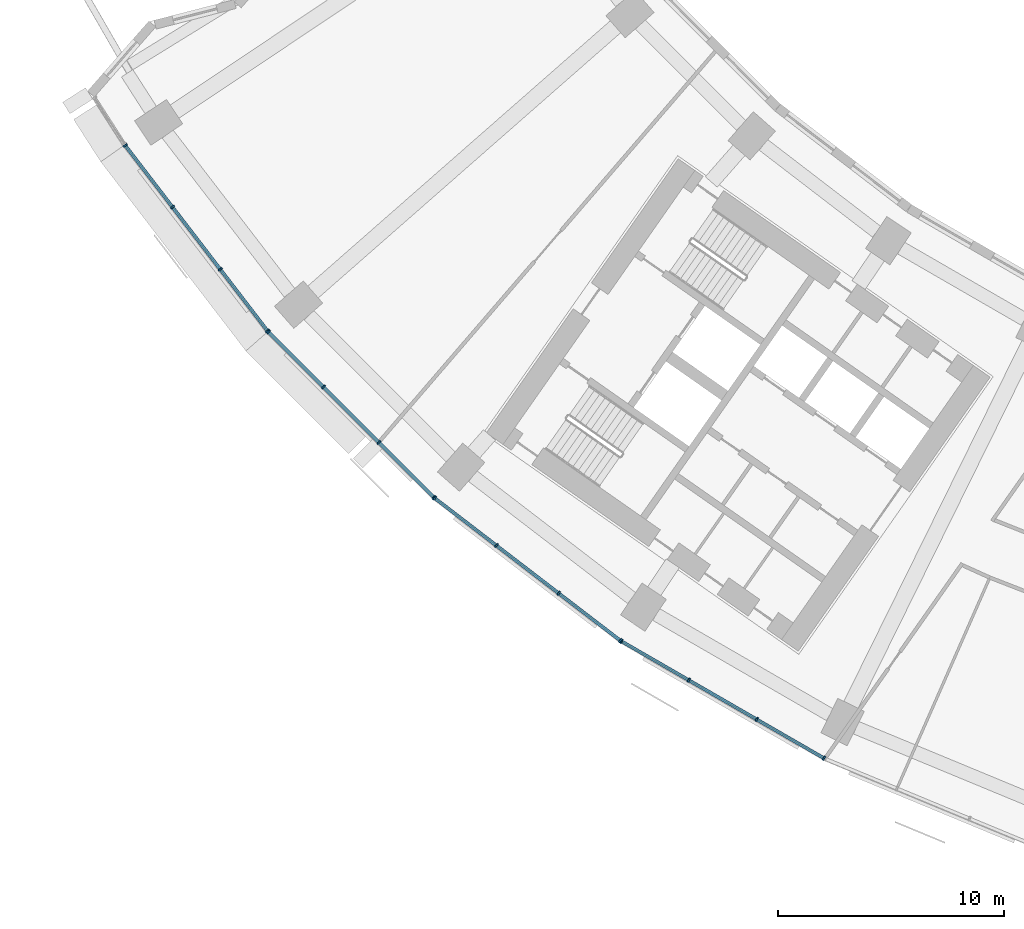
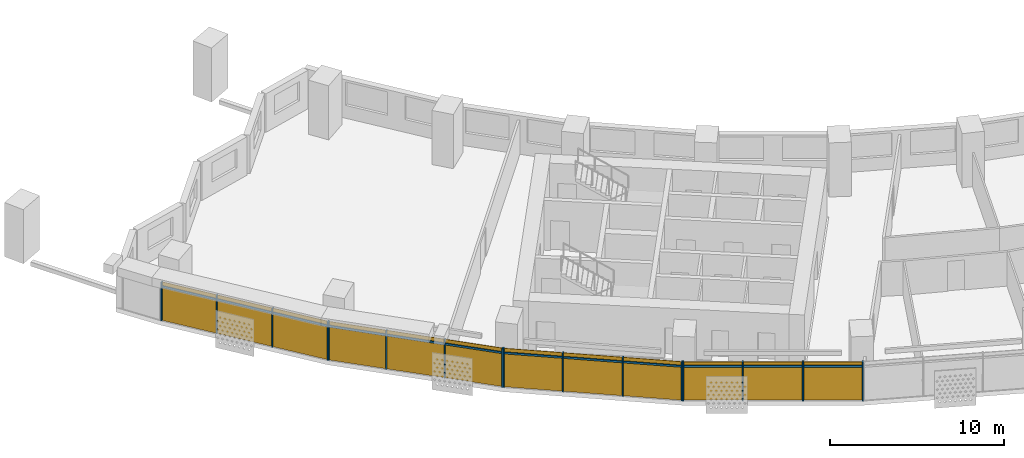
# One storey, part 20 of 30: 28 members, 4 curtain walls.
"""IFC4 building model written with IfcOpenShell, lengths in metres."""

from ifc_helpers import new_model, si_unit, direction, frame, origin, origin_2d, place, context, subcontext, project, spatial, rectangle, extrude, material, material_profile, profile_set, type_object, element, aggregate, save


model = new_model("IFC4")

# Units and contexts
model_context = context("Model", 3, precision=1e-05, world=origin(), true_north=direction((0.0, 1.0)))
body_context = subcontext(model_context, "Body", "Model", "MODEL_VIEW")
ifc_project = project(units=[si_unit("LENGTHUNIT", "METRE"), si_unit("AREAUNIT", "SQUARE_METRE"), si_unit("VOLUMEUNIT", "CUBIC_METRE"), si_unit("PLANEANGLEUNIT", "RADIAN"), si_unit("MASSUNIT", "GRAM", prefix="KILO")], contexts=[model_context])

# Member
ifc_material = material(Name="Aluminium 6063-T6 anodised", Category="aluminium")
ifc_material_profile_1 = material_profile(ifc_material, rectangle(XDim=0.199951171875, YDim=0.070068359375, at=origin_2d()))
ifc_profile_set_1 = profile_set([ifc_material_profile_1], Name="Aluminium 6063-T6 anodised")
member_type_1 = type_object("IfcMemberType", Name="Mullion 70 x 200 aluminium", PredefinedType="MULLION", material=ifc_profile_set_1)
site_placement = place(None, origin())
building_placement = place(site_placement, origin())
storey_placement = place(building_placement, frame((0.0, 0.0, 67.10009765625)))
member_1_placement = place(storey_placement, frame((-66.1259765625, -44.218017578125, 0.0), z_axis=(0.0, 0.0, 1.0), x_axis=(0.793353340291, 0.608761429009, 0.0)))
member_1 = element("IfcMember", 1, at=member_1_placement, type_object=member_type_1, Name="e-cw1-L13-out01/M00", PredefinedType="MULLION", context=body_context, shape_type="SweptSolid", body=[
    extrude(rectangle(XDim=0.199951171875, YDim=0.070068359375, at=origin_2d()), origin(), (0.0, 0.0, 1.0), 2.699951171875),
])

member_2_placement = place(storey_placement, frame((-64.032958984375, -46.945556640625, 0.0), z_axis=(0.0, 0.0, 1.0), x_axis=(0.793353340291, 0.608761429009, 0.0)))
member_2 = element("IfcMember", 2, at=member_2_placement, type_object=member_type_1, Name="e-cw1-L13-out01/M01", PredefinedType="MULLION", context=body_context, shape_type="SweptSolid", body=[
    extrude(rectangle(XDim=0.199951171875, YDim=0.070068359375, at=origin_2d()), origin(), (0.0, 0.0, 1.0), 2.699951171875),
])

member_3_placement = place(storey_placement, frame((-61.9189453125, -49.70068359375, 0.0), z_axis=(0.0, 0.0, 1.0), x_axis=(0.793353340291, 0.608761429009, 0.0)))
member_3 = element("IfcMember", 3, at=member_3_placement, type_object=member_type_1, Name="e-cw1-L13-out01/M02", PredefinedType="MULLION", context=body_context, shape_type="SweptSolid", body=[
    extrude(rectangle(XDim=0.199951171875, YDim=0.070068359375, at=origin_2d()), origin(), (0.0, 0.0, 1.0), 2.699951171875),
])

member_4_placement = place(storey_placement, frame((-59.825927734375, -52.42822265625, 0.0), z_axis=(0.0, 0.0, 1.0), x_axis=(0.793353340291, 0.608761429009, 0.0)))
member_4 = element("IfcMember", 4, at=member_4_placement, type_object=member_type_1, Name="e-cw1-L13-out01/M03", PredefinedType="MULLION", context=body_context, shape_type="SweptSolid", body=[
    extrude(rectangle(XDim=0.199951171875, YDim=0.070068359375, at=origin_2d()), origin(), (0.0, 0.0, 1.0), 2.699951171875),
])

member_5_placement = place(storey_placement, frame((-59.78857421875, -52.470947265625, 0.0), z_axis=(0.0, 0.0, 1.0), x_axis=(0.707106781187, 0.707106781187, 0.0)))
member_5 = element("IfcMember", 5, at=member_5_placement, type_object=member_type_1, Name="e-cw1-L13-out02/M00", PredefinedType="MULLION", context=body_context, shape_type="SweptSolid", body=[
    extrude(rectangle(XDim=0.199951171875, YDim=0.070068359375, at=origin_2d()), origin(), (0.0, 0.0, 1.0), 2.699951171875),
])

member_6_placement = place(storey_placement, frame((-57.357666015625, -54.90185546875, 0.0), z_axis=(0.0, 0.0, 1.0), x_axis=(0.707106781187, 0.707106781187, 0.0)))
member_6 = element("IfcMember", 6, at=member_6_placement, type_object=member_type_1, Name="e-cw1-L13-out02/M01", PredefinedType="MULLION", context=body_context, shape_type="SweptSolid", body=[
    extrude(rectangle(XDim=0.199951171875, YDim=0.070068359375, at=origin_2d()), origin(), (0.0, 0.0, 1.0), 2.699951171875),
])

member_7_placement = place(storey_placement, frame((-54.90185546875, -57.357666015625, 0.0), z_axis=(0.0, 0.0, 1.0), x_axis=(0.707106781187, 0.707106781187, 0.0)))
member_7 = element("IfcMember", 7, at=member_7_placement, type_object=member_type_1, Name="e-cw1-L13-out02/M02", PredefinedType="MULLION", context=body_context, shape_type="SweptSolid", body=[
    extrude(rectangle(XDim=0.199951171875, YDim=0.070068359375, at=origin_2d()), origin(), (0.0, 0.0, 1.0), 2.699951171875),
])

member_8_placement = place(storey_placement, frame((-52.470947265625, -59.78857421875, 0.0), z_axis=(0.0, 0.0, 1.0), x_axis=(0.707106781187, 0.707106781187, 0.0)))
member_8 = element("IfcMember", 8, at=member_8_placement, type_object=member_type_1, Name="e-cw1-L13-out02/M03", PredefinedType="MULLION", context=body_context, shape_type="SweptSolid", body=[
    extrude(rectangle(XDim=0.199951171875, YDim=0.070068359375, at=origin_2d()), origin(), (0.0, 0.0, 1.0), 2.699951171875),
])

member_9_placement = place(storey_placement, frame((-52.42822265625, -59.825927734375, 0.0), z_axis=(0.0, 0.0, 1.0), x_axis=(0.608761429009, 0.793353340291, 0.0)))
member_9 = element("IfcMember", 9, at=member_9_placement, type_object=member_type_1, Name="e-cw1-L13-out03/M00", PredefinedType="MULLION", context=body_context, shape_type="SweptSolid", body=[
    extrude(rectangle(XDim=0.199951171875, YDim=0.070068359375, at=origin_2d()), origin(), (0.0, 0.0, 1.0), 2.699951171875),
])

member_10_placement = place(storey_placement, frame((-49.70068359375, -61.9189453125, 0.0), z_axis=(0.0, 0.0, 1.0), x_axis=(0.608761429009, 0.793353340291, 0.0)))
member_10 = element("IfcMember", 10, at=member_10_placement, type_object=member_type_1, Name="e-cw1-L13-out03/M01", PredefinedType="MULLION", context=body_context, shape_type="SweptSolid", body=[
    extrude(rectangle(XDim=0.199951171875, YDim=0.070068359375, at=origin_2d()), origin(), (0.0, 0.0, 1.0), 2.699951171875),
])

member_11_placement = place(storey_placement, frame((-46.945556640625, -64.032958984375, 0.0), z_axis=(0.0, 0.0, 1.0), x_axis=(0.608761429009, 0.793353340291, 0.0)))
member_11 = element("IfcMember", 11, at=member_11_placement, type_object=member_type_1, Name="e-cw1-L13-out03/M02", PredefinedType="MULLION", context=body_context, shape_type="SweptSolid", body=[
    extrude(rectangle(XDim=0.199951171875, YDim=0.070068359375, at=origin_2d()), origin(), (0.0, 0.0, 1.0), 2.699951171875),
])

member_12_placement = place(storey_placement, frame((-44.218017578125, -66.1259765625, 0.0), z_axis=(0.0, 0.0, 1.0), x_axis=(0.608761429009, 0.793353340291, 0.0)))
member_12 = element("IfcMember", 12, at=member_12_placement, type_object=member_type_1, Name="e-cw1-L13-out03/M03", PredefinedType="MULLION", context=body_context, shape_type="SweptSolid", body=[
    extrude(rectangle(XDim=0.199951171875, YDim=0.070068359375, at=origin_2d()), origin(), (0.0, 0.0, 1.0), 2.699951171875),
])

member_13_placement = place(storey_placement, frame((-44.1708984375, -66.157470703125, 0.0), z_axis=(0.0, 0.0, 1.0), x_axis=(0.5, 0.866025403784, 0.0)))
member_13 = element("IfcMember", 13, at=member_13_placement, type_object=member_type_1, Name="e-cw1-L13-out04/M00", PredefinedType="MULLION", context=body_context, shape_type="SweptSolid", body=[
    extrude(rectangle(XDim=0.199951171875, YDim=0.070068359375, at=origin_2d()), origin(), (0.0, 0.0, 1.0), 2.699951171875),
])

member_14_placement = place(storey_placement, frame((-41.193603515625, -67.87646484375, 0.0), z_axis=(0.0, 0.0, 1.0), x_axis=(0.5, 0.866025403784, 0.0)))
member_14 = element("IfcMember", 14, at=member_14_placement, type_object=member_type_1, Name="e-cw1-L13-out04/M01", PredefinedType="MULLION", context=body_context, shape_type="SweptSolid", body=[
    extrude(rectangle(XDim=0.199951171875, YDim=0.070068359375, at=origin_2d()), origin(), (0.0, 0.0, 1.0), 2.699951171875),
])

member_15_placement = place(storey_placement, frame((-38.18603515625, -69.61279296875, 0.0), z_axis=(0.0, 0.0, 1.0), x_axis=(0.5, 0.866025403784, 0.0)))
member_15 = element("IfcMember", 15, at=member_15_placement, type_object=member_type_1, Name="e-cw1-L13-out04/M02", PredefinedType="MULLION", context=body_context, shape_type="SweptSolid", body=[
    extrude(rectangle(XDim=0.199951171875, YDim=0.070068359375, at=origin_2d()), origin(), (0.0, 0.0, 1.0), 2.699951171875),
])

member_16_placement = place(storey_placement, frame((-35.20849609375, -71.331787109375, 0.0), z_axis=(0.0, 0.0, 1.0), x_axis=(0.5, 0.866025403784, 0.0)))
member_16 = element("IfcMember", 16, at=member_16_placement, type_object=member_type_1, Name="e-cw1-L13-out04/M03", PredefinedType="MULLION", context=body_context, shape_type="SweptSolid", body=[
    extrude(rectangle(XDim=0.199951171875, YDim=0.070068359375, at=origin_2d()), origin(), (0.0, 0.0, 1.0), 2.699951171875),
])

ifc_material_profile_2 = material_profile(ifc_material, rectangle(XDim=0.139892578125, YDim=0.1201171875, at=origin_2d()))
ifc_profile_set_2 = profile_set([ifc_material_profile_2], Name="Aluminium 6063-T6 anodised")
member_type_2 = type_object("IfcMemberType", Name="Transom 120 x 140 aluminium", PredefinedType="USERDEFINED", material=ifc_profile_set_2)
member_17_placement = place(storey_placement, frame((-66.1044921875, -44.245849609375, 2.39990234375), z_axis=(0.608732839803, -0.793375276742, 0.0), x_axis=(0.793375276742, 0.608732839803, 0.0)))
member_17 = element("IfcMember", 17, at=member_17_placement, type_object=member_type_2, Name="e-cw1-L13-out01/T00", ObjectType="TRANSOM", PredefinedType="USERDEFINED", context=body_context, shape_type="SweptSolid", body=[
    extrude(rectangle(XDim=0.139892578125, YDim=0.1201171875, at=origin_2d()), origin(), (0.0, 0.0, 1.0), 3.36767578125),
])

member_18_placement = place(storey_placement, frame((-64.01171875, -46.973388671875, 2.39990234375), z_axis=(0.60875683052, -0.793356868815, 0.0), x_axis=(0.793356868815, 0.60875683052, 0.0)))
member_18 = element("IfcMember", 18, at=member_18_placement, type_object=member_type_2, Name="e-cw1-L13-out01/T01", ObjectType="TRANSOM", PredefinedType="USERDEFINED", context=body_context, shape_type="SweptSolid", body=[
    extrude(rectangle(XDim=0.139892578125, YDim=0.1201171875, at=origin_2d()), origin(), (0.0, 0.0, 1.0), 3.40283203125),
])

member_19_placement = place(storey_placement, frame((-61.8974609375, -49.728515625, 2.39990234375), z_axis=(0.608732839803, -0.793375276742, 0.0), x_axis=(0.793375276742, 0.608732839803, 0.0)))
member_19 = element("IfcMember", 19, at=member_19_placement, type_object=member_type_2, Name="e-cw1-L13-out01/T02", ObjectType="TRANSOM", PredefinedType="USERDEFINED", context=body_context, shape_type="SweptSolid", body=[
    extrude(rectangle(XDim=0.139892578125, YDim=0.1201171875, at=origin_2d()), origin(), (0.0, 0.0, 1.0), 3.36767578125),
])

member_20_placement = place(storey_placement, frame((-59.763916015625, -52.49560546875, 2.39990234375), z_axis=(0.707106781187, -0.707106781187, 0.0), x_axis=(0.707106781187, 0.707106781187, 0.0)))
member_20 = element("IfcMember", 20, at=member_20_placement, type_object=member_type_2, Name="e-cw1-L13-out02/T00", ObjectType="TRANSOM", PredefinedType="USERDEFINED", context=body_context, shape_type="SweptSolid", body=[
    extrude(rectangle(XDim=0.139892578125, YDim=0.1201171875, at=origin_2d()), origin(), (0.0, 0.0, 1.0), 3.3681640625),
])

member_21_placement = place(storey_placement, frame((-57.332763671875, -54.9267578125, 2.39990234375), z_axis=(0.707106781187, -0.707106781187, 0.0), x_axis=(0.707106781187, 0.707106781187, 0.0)))
member_21 = element("IfcMember", 21, at=member_21_placement, type_object=member_type_2, Name="e-cw1-L13-out02/T01", ObjectType="TRANSOM", PredefinedType="USERDEFINED", context=body_context, shape_type="SweptSolid", body=[
    extrude(rectangle(XDim=0.139892578125, YDim=0.1201171875, at=origin_2d()), origin(), (0.0, 0.0, 1.0), 3.402587890625),
])

member_22_placement = place(storey_placement, frame((-54.877197265625, -57.38232421875, 2.39990234375), z_axis=(0.707106781187, -0.707106781187, 0.0), x_axis=(0.707106781187, 0.707106781187, 0.0)))
member_22 = element("IfcMember", 22, at=member_22_placement, type_object=member_type_2, Name="e-cw1-L13-out02/T02", ObjectType="TRANSOM", PredefinedType="USERDEFINED", context=body_context, shape_type="SweptSolid", body=[
    extrude(rectangle(XDim=0.139892578125, YDim=0.1201171875, at=origin_2d()), origin(), (0.0, 0.0, 1.0), 3.3681640625),
])

member_23_placement = place(storey_placement, frame((-52.400390625, -59.847412109375, 2.39990234375), z_axis=(0.793375276742, -0.608732839803, 0.0), x_axis=(0.608732839803, 0.793375276742, 0.0)))
member_23 = element("IfcMember", 23, at=member_23_placement, type_object=member_type_2, Name="e-cw1-L13-out03/T00", ObjectType="TRANSOM", PredefinedType="USERDEFINED", context=body_context, shape_type="SweptSolid", body=[
    extrude(rectangle(XDim=0.139892578125, YDim=0.1201171875, at=origin_2d()), origin(), (0.0, 0.0, 1.0), 3.36767578125),
])

member_24_placement = place(storey_placement, frame((-49.673095703125, -61.940185546875, 2.39990234375), z_axis=(0.793356868815, -0.60875683052, 0.0), x_axis=(0.60875683052, 0.793356868815, 0.0)))
member_24 = element("IfcMember", 24, at=member_24_placement, type_object=member_type_2, Name="e-cw1-L13-out03/T01", ObjectType="TRANSOM", PredefinedType="USERDEFINED", context=body_context, shape_type="SweptSolid", body=[
    extrude(rectangle(XDim=0.139892578125, YDim=0.1201171875, at=origin_2d()), origin(), (0.0, 0.0, 1.0), 3.40283203125),
])

member_25_placement = place(storey_placement, frame((-46.917724609375, -64.054443359375, 2.39990234375), z_axis=(0.793375276742, -0.608732839803, 0.0), x_axis=(0.608732839803, 0.793375276742, 0.0)))
member_25 = element("IfcMember", 25, at=member_25_placement, type_object=member_type_2, Name="e-cw1-L13-out03/T02", ObjectType="TRANSOM", PredefinedType="USERDEFINED", context=body_context, shape_type="SweptSolid", body=[
    extrude(rectangle(XDim=0.139892578125, YDim=0.1201171875, at=origin_2d()), origin(), (0.0, 0.0, 1.0), 3.36767578125),
])

member_26_placement = place(storey_placement, frame((-44.140625, -66.175048828125, 2.39990234375), z_axis=(0.866044351828, -0.49996717959, 0.0), x_axis=(0.49996717959, 0.866044351828, 0.0)))
member_26 = element("IfcMember", 26, at=member_26_placement, type_object=member_type_2, Name="e-cw1-L13-out04/T00", ObjectType="TRANSOM", PredefinedType="USERDEFINED", context=body_context, shape_type="SweptSolid", body=[
    extrude(rectangle(XDim=0.139892578125, YDim=0.1201171875, at=origin_2d()), origin(), (0.0, 0.0, 1.0), 3.367919921875),
])

member_27_placement = place(storey_placement, frame((-41.163330078125, -67.893798828125, 2.39990234375), z_axis=(0.866000398227, -0.500043308395, 0.0), x_axis=(0.500043308395, 0.866000398227, 0.0)))
member_27 = element("IfcMember", 27, at=member_27_placement, type_object=member_type_2, Name="e-cw1-L13-out04/T01", ObjectType="TRANSOM", PredefinedType="USERDEFINED", context=body_context, shape_type="SweptSolid", body=[
    extrude(rectangle(XDim=0.139892578125, YDim=0.1201171875, at=origin_2d()), origin(), (0.0, 0.0, 1.0), 3.403076171875),
])

member_28_placement = place(storey_placement, frame((-38.155517578125, -69.63037109375, 2.39990234375), z_axis=(0.866026229868, -0.499998569178, 0.0), x_axis=(0.499998569178, 0.866026229868, 0.0)))
member_28 = element("IfcMember", 28, at=member_28_placement, type_object=member_type_2, Name="e-cw1-L13-out04/T02", ObjectType="TRANSOM", PredefinedType="USERDEFINED", context=body_context, shape_type="SweptSolid", body=[
    extrude(rectangle(XDim=0.139892578125, YDim=0.1201171875, at=origin_2d()), origin(), (0.0, 0.0, 1.0), 3.36767578125),
])

# Site, building, storey
site = spatial("IfcSite", under=ifc_project, at=site_placement, CompositionType="ELEMENT")
building = spatial("IfcBuilding", under=site, at=building_placement, Name="Qamariyya Broadcast Tower", CompositionType="ELEMENT")
storey = spatial("IfcBuildingStorey", under=building, at=storey_placement, Name="L13", CompositionType="ELEMENT", Elevation=67.10009765625)

# Curtain wall
curtain_wall_type = type_object("IfcCurtainWallType", Name="Unitised curtain wall, anodised aluminium", PredefinedType="NOTDEFINED", material=ifc_material)
curtain_wall_1_placement = place(storey_placement, origin())
curtain_wall_1 = element("IfcCurtainWall", 29, at=curtain_wall_1_placement, inside=storey, type_object=curtain_wall_type, Name="e-cw1-L13-out01", PredefinedType="NOTDEFINED", context=body_context, shape_type="SweptSolid", body=[
    extrude(rectangle(XDim=3.367919921875, YDim=0.031982421875, at=origin_2d()), frame((-65.07958984375, -45.581787109375, 0.0), x_axis=(0.608755679475, -0.79335775203, 0.0)), (0.0, 0.0, 1.0), 2.340087890625),
    extrude(rectangle(XDim=3.367919921875, YDim=0.031982421875, at=origin_2d()), frame((-65.07958984375, -45.581787109375, 2.4599609375), x_axis=(0.608755679475, -0.79335775203, 0.0)), (0.0, 0.0, 1.0), 0.239990234375),
    extrude(rectangle(XDim=3.40283203125, YDim=0.031982421875, at=origin_2d()), frame((-62.97607421875, -48.3232421875, 0.0), x_axis=(0.608755679475, -0.79335775203, 0.0)), (0.0, 0.0, 1.0), 2.340087890625),
    extrude(rectangle(XDim=3.40283203125, YDim=0.031982421875, at=origin_2d()), frame((-62.97607421875, -48.3232421875, 2.4599609375), x_axis=(0.608755679475, -0.79335775203, 0.0)), (0.0, 0.0, 1.0), 0.239990234375),
    extrude(rectangle(XDim=3.367919921875, YDim=0.031982421875, at=origin_2d()), frame((-60.872314453125, -51.064453125, 0.0), x_axis=(0.608755679475, -0.79335775203, 0.0)), (0.0, 0.0, 1.0), 2.340087890625),
    extrude(rectangle(XDim=3.367919921875, YDim=0.031982421875, at=origin_2d()), frame((-60.872314453125, -51.064453125, 2.4599609375), x_axis=(0.608755679475, -0.79335775203, 0.0)), (0.0, 0.0, 1.0), 0.239990234375),
])

aggregate(curtain_wall_1, [member_1, member_2, member_3, member_4, member_17, member_18, member_19])

curtain_wall_2_placement = place(storey_placement, origin())
curtain_wall_2 = element("IfcCurtainWall", 30, at=curtain_wall_2_placement, inside=storey, type_object=curtain_wall_type, Name="e-cw1-L13-out02", PredefinedType="NOTDEFINED", context=body_context, shape_type="SweptSolid", body=[
    extrude(rectangle(XDim=3.367919921875, YDim=0.031982421875, at=origin_2d()), frame((-58.572998046875, -53.6865234375, 0.0), x_axis=(0.707106781187, -0.707106781187, 0.0)), (0.0, 0.0, 1.0), 2.340087890625),
    extrude(rectangle(XDim=3.367919921875, YDim=0.031982421875, at=origin_2d()), frame((-58.572998046875, -53.6865234375, 2.4599609375), x_axis=(0.707106781187, -0.707106781187, 0.0)), (0.0, 0.0, 1.0), 0.239990234375),
    extrude(rectangle(XDim=3.40283203125, YDim=0.031982421875, at=origin_2d()), frame((-56.1298828125, -56.1298828125, 0.0), x_axis=(0.707106781187, -0.707106781187, 0.0)), (0.0, 0.0, 1.0), 2.340087890625),
    extrude(rectangle(XDim=3.40283203125, YDim=0.031982421875, at=origin_2d()), frame((-56.1298828125, -56.1298828125, 2.4599609375), x_axis=(0.707106781187, -0.707106781187, 0.0)), (0.0, 0.0, 1.0), 0.239990234375),
    extrude(rectangle(XDim=3.367919921875, YDim=0.031982421875, at=origin_2d()), frame((-53.6865234375, -58.572998046875, 0.0), x_axis=(0.707106781187, -0.707106781187, 0.0)), (0.0, 0.0, 1.0), 2.340087890625),
    extrude(rectangle(XDim=3.367919921875, YDim=0.031982421875, at=origin_2d()), frame((-53.6865234375, -58.572998046875, 2.4599609375), x_axis=(0.707106781187, -0.707106781187, 0.0)), (0.0, 0.0, 1.0), 0.239990234375),
])

aggregate(curtain_wall_2, [member_5, member_6, member_7, member_8, member_20, member_21, member_22])

curtain_wall_3_placement = place(storey_placement, origin())
curtain_wall_3 = element("IfcCurtainWall", 31, at=curtain_wall_3_placement, inside=storey, type_object=curtain_wall_type, Name="e-cw1-L13-out03", PredefinedType="NOTDEFINED", context=body_context, shape_type="SweptSolid", body=[
    extrude(rectangle(XDim=3.367919921875, YDim=0.031982421875, at=origin_2d()), frame((-51.064453125, -60.872314453125, 0.0), x_axis=(0.79335775203, -0.608755679475, 0.0)), (0.0, 0.0, 1.0), 2.340087890625),
    extrude(rectangle(XDim=3.367919921875, YDim=0.031982421875, at=origin_2d()), frame((-51.064453125, -60.872314453125, 2.4599609375), x_axis=(0.79335775203, -0.608755679475, 0.0)), (0.0, 0.0, 1.0), 0.239990234375),
    extrude(rectangle(XDim=3.40283203125, YDim=0.031982421875, at=origin_2d()), frame((-48.3232421875, -62.97607421875, 0.0), x_axis=(0.79335775203, -0.608755679475, 0.0)), (0.0, 0.0, 1.0), 2.340087890625),
    extrude(rectangle(XDim=3.40283203125, YDim=0.031982421875, at=origin_2d()), frame((-48.3232421875, -62.97607421875, 2.4599609375), x_axis=(0.79335775203, -0.608755679475, 0.0)), (0.0, 0.0, 1.0), 0.239990234375),
    extrude(rectangle(XDim=3.367919921875, YDim=0.031982421875, at=origin_2d()), frame((-45.581787109375, -65.07958984375, 0.0), x_axis=(0.79335775203, -0.608755679475, 0.0)), (0.0, 0.0, 1.0), 2.340087890625),
    extrude(rectangle(XDim=3.367919921875, YDim=0.031982421875, at=origin_2d()), frame((-45.581787109375, -65.07958984375, 2.4599609375), x_axis=(0.79335775203, -0.608755679475, 0.0)), (0.0, 0.0, 1.0), 0.239990234375),
])

aggregate(curtain_wall_3, [member_9, member_10, member_11, member_12, member_23, member_24, member_25])

curtain_wall_4_placement = place(storey_placement, origin())
curtain_wall_4 = element("IfcCurtainWall", 32, at=curtain_wall_4_placement, inside=storey, type_object=curtain_wall_type, Name="e-cw1-L13-out04", PredefinedType="NOTDEFINED", context=body_context, shape_type="SweptSolid", body=[
    extrude(rectangle(XDim=3.367919921875, YDim=0.031982421875, at=origin_2d()), frame((-42.68212890625, -67.016845703125, 0.0), x_axis=(0.86602247392, -0.500005074639, 0.0)), (0.0, 0.0, 1.0), 2.340087890625),
    extrude(rectangle(XDim=3.367919921875, YDim=0.031982421875, at=origin_2d()), frame((-42.68212890625, -67.016845703125, 2.4599609375), x_axis=(0.86602247392, -0.500005074639, 0.0)), (0.0, 0.0, 1.0), 0.239990234375),
    extrude(rectangle(XDim=3.40283203125, YDim=0.031982421875, at=origin_2d()), frame((-39.689697265625, -68.74462890625, 0.0), x_axis=(0.86602247392, -0.500005074639, 0.0)), (0.0, 0.0, 1.0), 2.340087890625),
    extrude(rectangle(XDim=3.40283203125, YDim=0.031982421875, at=origin_2d()), frame((-39.689697265625, -68.74462890625, 2.4599609375), x_axis=(0.86602247392, -0.500005074639, 0.0)), (0.0, 0.0, 1.0), 0.239990234375),
    extrude(rectangle(XDim=3.367919921875, YDim=0.031982421875, at=origin_2d()), frame((-36.697265625, -70.472412109375, 0.0), x_axis=(0.86602247392, -0.500005074639, 0.0)), (0.0, 0.0, 1.0), 2.340087890625),
    extrude(rectangle(XDim=3.367919921875, YDim=0.031982421875, at=origin_2d()), frame((-36.697265625, -70.472412109375, 2.4599609375), x_axis=(0.86602247392, -0.500005074639, 0.0)), (0.0, 0.0, 1.0), 0.239990234375),
])

aggregate(curtain_wall_4, [member_13, member_14, member_15, member_16, member_26, member_27, member_28])

save(model, "model.ifc")
